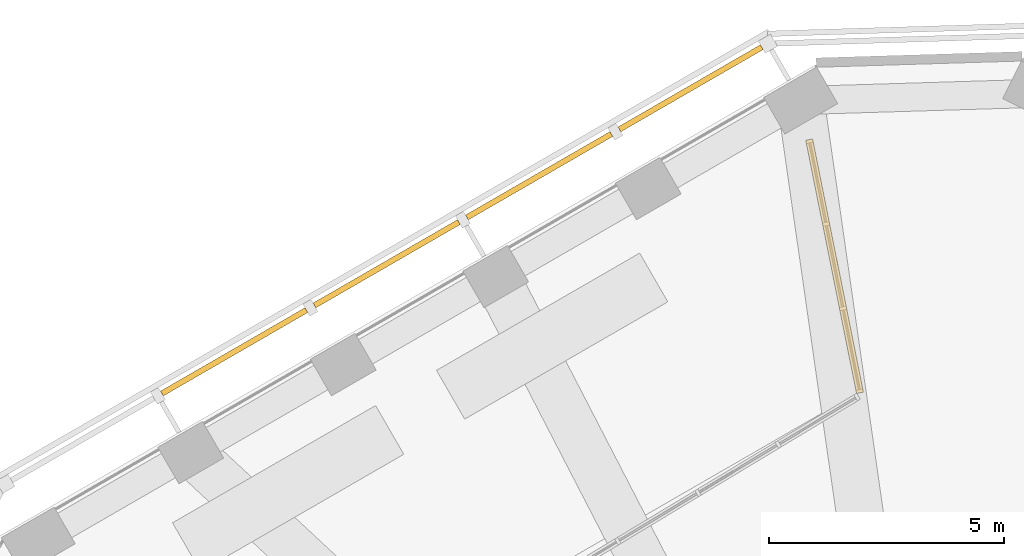
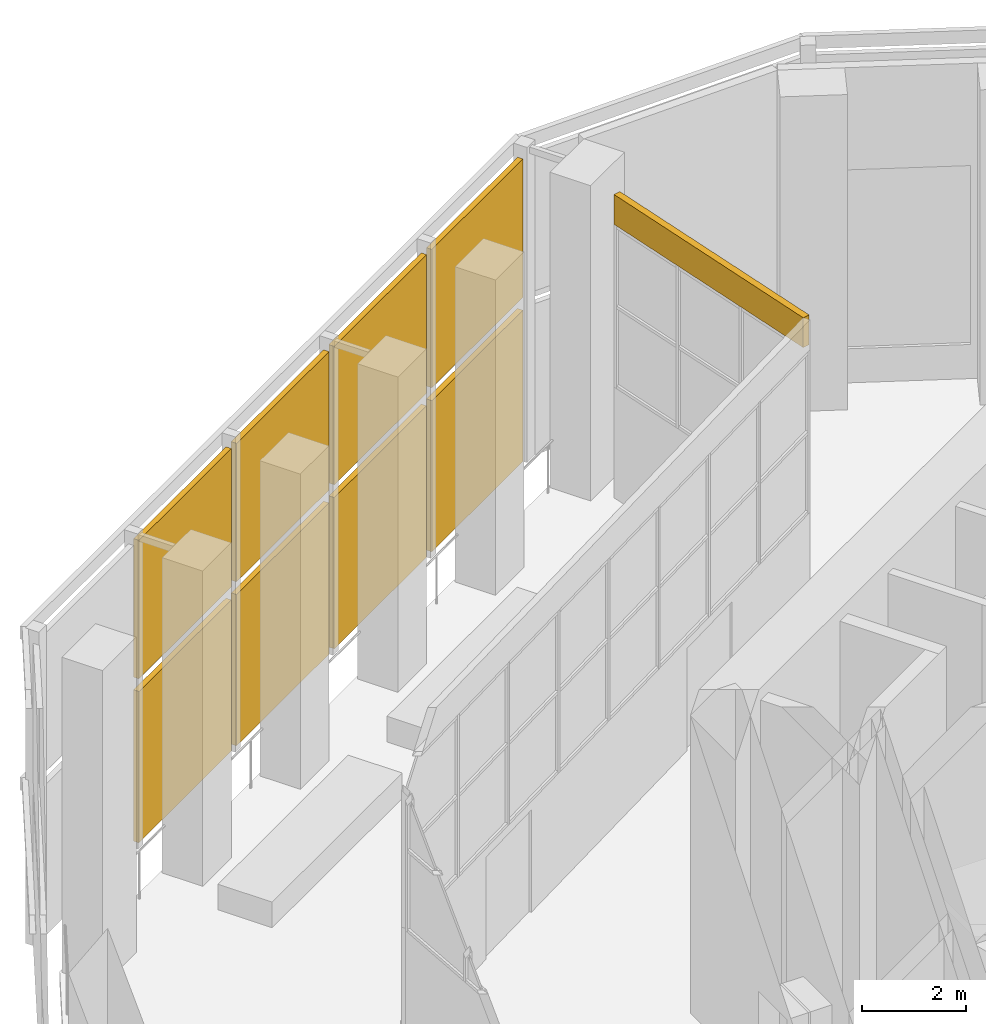
# One storey, part 17 of 19: 8 shading devices, 1 covering.
"""IFC4 building model written with IfcOpenShell, lengths in metres."""

from ifc_helpers import new_model, si_unit, direction, frame, origin, origin_2d, place, context, subcontext, project, spatial, rectangle, extrude, material, layer, layer_set, type_object, element, save


model = new_model("IFC4")

# Units and contexts
model_context = context("Model", 3, precision=1e-05, world=origin(), true_north=direction((0.0, 1.0)))
body_context = subcontext(model_context, "Body", "Model", "MODEL_VIEW")
ifc_project = project(units=[si_unit("LENGTHUNIT", "METRE"), si_unit("AREAUNIT", "SQUARE_METRE"), si_unit("VOLUMEUNIT", "CUBIC_METRE"), si_unit("PLANEANGLEUNIT", "RADIAN"), si_unit("MASSUNIT", "GRAM", prefix="KILO")], contexts=[model_context])

# Site, building, storey
site_placement = place(None, origin())
site = spatial("IfcSite", under=ifc_project, at=site_placement, CompositionType="ELEMENT")
building_placement = place(site_placement, origin())
building = spatial("IfcBuilding", under=site, at=building_placement, Name="Vanh Sen Convention Tower", CompositionType="ELEMENT")
storey_placement = place(building_placement, frame((0.0, 0.0, 139.199951171875)))
storey = spatial("IfcBuildingStorey", under=building, at=storey_placement, Name="L34", CompositionType="ELEMENT", Elevation=139.199951171875)

# Shading devices
ifc_material_1 = material(Name="Concrete C50/60", Category="concrete")
ifc_layer_1 = layer(ifc_material_1, 0.1201171875)
ifc_layer_set_1 = layer_set([ifc_layer_1], Name="Concrete C50/60")
shading_device_type = type_object("IfcShadingDeviceType", Name="Sun-screen louvre 120", PredefinedType="USERDEFINED", material=ifc_layer_set_1)
shading_device_1_placement = place(storey_placement, frame((-5.585205078125, 22.87158203125, 0.0), z_axis=(0.0, 0.0, 1.0), x_axis=(-0.866035002936, -0.499983373414, 0.0)))
element("IfcShadingDevice", 1, at=shading_device_1_placement, inside=storey, type_object=shading_device_type, Name="OUTER SKIN sun-screen louvre NW-1", ObjectType="LOUVRE", PredefinedType="USERDEFINED", context=body_context, shape_type="SweptSolid", body=[
    extrude(rectangle(XDim=3.504150390625, YDim=0.1201171875, at=origin_2d()), origin(), (0.0, 0.0, 1.0), 3.550048828125),
])
shading_device_2_placement = place(storey_placement, frame((-5.585205078125, 22.87158203125, 3.85009765625), z_axis=(0.0, 0.0, 1.0), x_axis=(-0.866035002936, -0.499983373414, 0.0)))
element("IfcShadingDevice", 2, at=shading_device_2_placement, inside=storey, type_object=shading_device_type, Name="OUTER SKIN sun-screen louvre NW-1", ObjectType="LOUVRE", PredefinedType="USERDEFINED", context=body_context, shape_type="SweptSolid", body=[
    extrude(rectangle(XDim=3.504150390625, YDim=0.1201171875, at=origin_2d()), origin(), (0.0, 0.0, 1.0), 3.25),
])
shading_device_3_placement = place(storey_placement, frame((-8.814697265625, 21.007080078125, 0.0), z_axis=(0.0, 0.0, 1.0), x_axis=(-0.866016677006, -0.500015114919, 0.0)))
element("IfcShadingDevice", 3, at=shading_device_3_placement, inside=storey, type_object=shading_device_type, Name="OUTER SKIN sun-screen louvre NW-2", ObjectType="LOUVRE", PredefinedType="USERDEFINED", context=body_context, shape_type="SweptSolid", body=[
    extrude(rectangle(XDim=3.55419921875, YDim=0.1201171875, at=origin_2d()), origin(), (0.0, 0.0, 1.0), 3.550048828125),
])
shading_device_4_placement = place(storey_placement, frame((-8.814697265625, 21.007080078125, 3.85009765625), z_axis=(0.0, 0.0, 1.0), x_axis=(-0.866016677006, -0.500015114919, 0.0)))
element("IfcShadingDevice", 4, at=shading_device_4_placement, inside=storey, type_object=shading_device_type, Name="OUTER SKIN sun-screen louvre NW-2", ObjectType="LOUVRE", PredefinedType="USERDEFINED", context=body_context, shape_type="SweptSolid", body=[
    extrude(rectangle(XDim=3.55419921875, YDim=0.1201171875, at=origin_2d()), origin(), (0.0, 0.0, 1.0), 3.25),
])
shading_device_5_placement = place(storey_placement, frame((-12.06591796875, 19.1298828125, 0.0), z_axis=(0.0, 0.0, 1.0), x_axis=(-0.866035002936, -0.499983373414, 0.0)))
element("IfcShadingDevice", 5, at=shading_device_5_placement, inside=storey, type_object=shading_device_type, Name="OUTER SKIN sun-screen louvre NW-3", ObjectType="LOUVRE", PredefinedType="USERDEFINED", context=body_context, shape_type="SweptSolid", body=[
    extrude(rectangle(XDim=3.55419921875, YDim=0.1201171875, at=origin_2d()), origin(), (0.0, 0.0, 1.0), 3.550048828125),
])
shading_device_6_placement = place(storey_placement, frame((-12.06591796875, 19.1298828125, 3.85009765625), z_axis=(0.0, 0.0, 1.0), x_axis=(-0.866035002936, -0.499983373414, 0.0)))
element("IfcShadingDevice", 6, at=shading_device_6_placement, inside=storey, type_object=shading_device_type, Name="OUTER SKIN sun-screen louvre NW-3", ObjectType="LOUVRE", PredefinedType="USERDEFINED", context=body_context, shape_type="SweptSolid", body=[
    extrude(rectangle(XDim=3.55419921875, YDim=0.1201171875, at=origin_2d()), origin(), (0.0, 0.0, 1.0), 3.25),
])
shading_device_7_placement = place(storey_placement, frame((-15.31689453125, 17.2529296875, 0.0), z_axis=(0.0, 0.0, 1.0), x_axis=(-0.866016677006, -0.500015114919, 0.0)))
element("IfcShadingDevice", 7, at=shading_device_7_placement, inside=storey, type_object=shading_device_type, Name="OUTER SKIN sun-screen louvre NW-4", ObjectType="LOUVRE", PredefinedType="USERDEFINED", context=body_context, shape_type="SweptSolid", body=[
    extrude(rectangle(XDim=3.55419921875, YDim=0.1201171875, at=origin_2d()), origin(), (0.0, 0.0, 1.0), 3.550048828125),
])
shading_device_8_placement = place(storey_placement, frame((-15.31689453125, 17.2529296875, 3.85009765625), z_axis=(0.0, 0.0, 1.0), x_axis=(-0.866016677006, -0.500015114919, 0.0)))
element("IfcShadingDevice", 8, at=shading_device_8_placement, inside=storey, type_object=shading_device_type, Name="OUTER SKIN sun-screen louvre NW-4", ObjectType="LOUVRE", PredefinedType="USERDEFINED", context=body_context, shape_type="SweptSolid", body=[
    extrude(rectangle(XDim=3.55419921875, YDim=0.1201171875, at=origin_2d()), origin(), (0.0, 0.0, 1.0), 3.25),
])

# Covering
ifc_material_2 = material(Name="Insulated aluminium composite panel", Category="aluminium")
ifc_layer_2 = layer(ifc_material_2, 0.14990234375)
ifc_layer_set_2 = layer_set([ifc_layer_2], Name="Insulated aluminium composite panel")
covering_type = type_object("IfcCoveringType", Name="Winter garden head cladding 150", PredefinedType="CLADDING", material=ifc_layer_set_2)
covering_placement = place(storey_placement, frame((-2.51611328125, 19.076904296875, 6.419921875), z_axis=(0.0, 0.0, 1.0), x_axis=(-0.196788127657, 0.980446037685, 0.0)))
element("IfcCovering", 9, at=covering_placement, inside=storey, type_object=covering_type, Name="Winter garden head cladding 5 L34", PredefinedType="CLADDING", context=body_context, shape_type="SweptSolid", body=[
    extrude(rectangle(XDim=5.505859375, YDim=0.14990234375, at=origin_2d()), origin(), (0.0, 0.0, 1.0), 0.699951171875),
])

save(model, "model.ifc")
